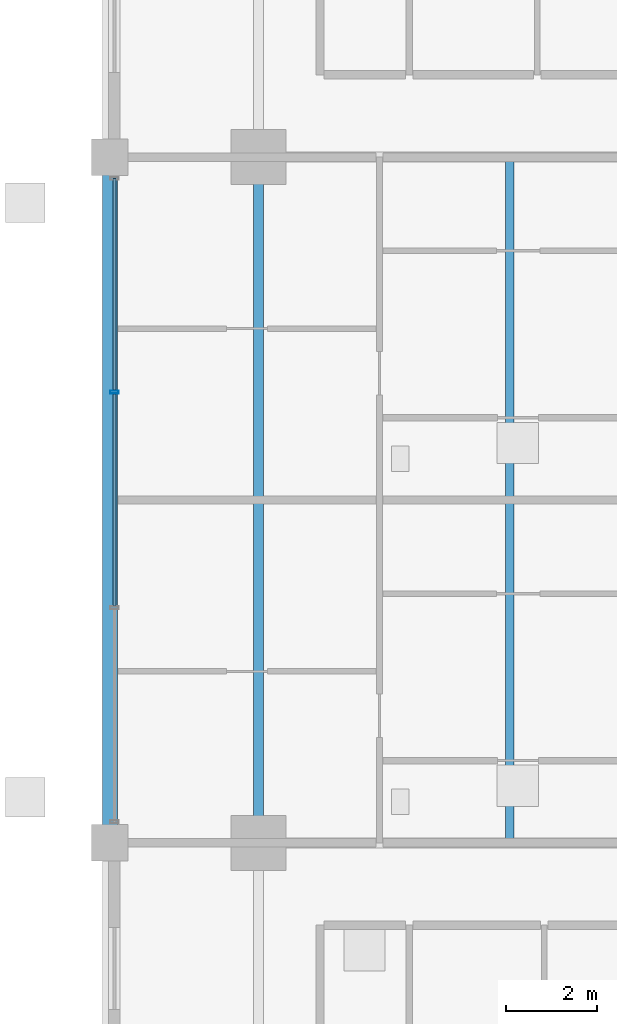
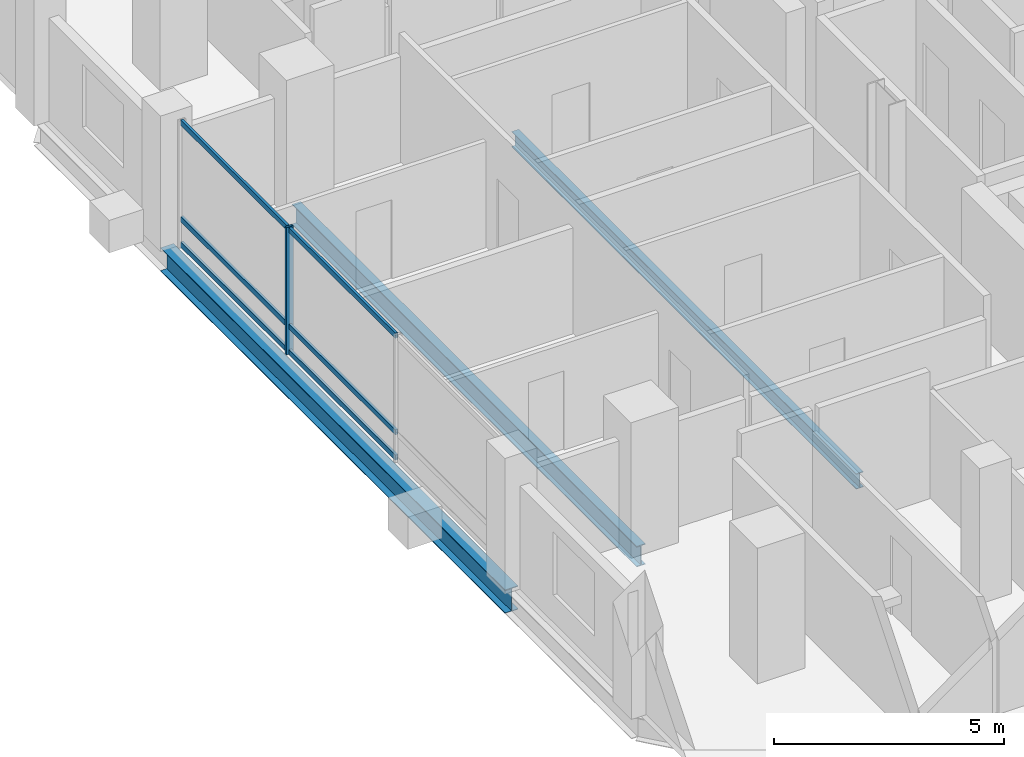
# One storey, part 5 of 20: 7 members, 3 beams, 1 element without a shape of its own.
"""IFC4 building model written with IfcOpenShell, lengths in metres."""

from ifc_helpers import new_model, si_unit, direction, frame, origin, origin_2d, place, context, subcontext, project, spatial, hollow_rectangle, i_section, extrude, material, layer, layer_set, material_profile, profile_set, type_object, element, aggregate, save


model = new_model("IFC4")

# Units and contexts
model_context = context("Model", 3, precision=1e-05, world=origin(), true_north=direction((0.0, 1.0)))
body_context = subcontext(model_context, "Body", "Model", "MODEL_VIEW")
ifc_project = project(units=[si_unit("LENGTHUNIT", "METRE"), si_unit("AREAUNIT", "SQUARE_METRE"), si_unit("VOLUMEUNIT", "CUBIC_METRE"), si_unit("PLANEANGLEUNIT", "RADIAN"), si_unit("MASSUNIT", "GRAM", prefix="KILO")], contexts=[model_context])

# Site, building, storey
site_placement = place(None, origin())
site = spatial("IfcSite", under=ifc_project, at=site_placement, CompositionType="ELEMENT")
building_placement = place(site_placement, origin())
building = spatial("IfcBuilding", under=site, at=building_placement, Name="Barlavira Tower and Art Museum", CompositionType="ELEMENT")
storey_placement = place(building_placement, frame((0.0, 0.0, 102.60009765625)))
storey = spatial("IfcBuildingStorey", under=building, at=storey_placement, Name="L25", CompositionType="ELEMENT", Elevation=102.60009765625)

# Curtain wall, members
ifc_material_1 = material(Name="Low-iron coastal laminated glass", Category="glass")
ifc_layer = layer(ifc_material_1, 0.18994140625, Name="Low-iron coastal laminated glass")
ifc_layer_set = layer_set([ifc_layer], Name="Low-iron coastal laminated glass")
curtain_wall_type = type_object("IfcCurtainWallType", Name="Pale-Metal Unitised Curtain Wall Zone 2", PredefinedType="NOTDEFINED", material=ifc_layer_set)
curtain_wall_placement = place(storey_placement, origin())
curtain_wall = element("IfcCurtainWall", 1, at=curtain_wall_placement, inside=storey, type_object=curtain_wall_type, Name="L25 Curtain Wall CW2-L25-W-B3", PredefinedType="NOTDEFINED")
ifc_material_2 = material(Name="Pale anodised aluminium", Category="aluminium")
ifc_material_profile_1 = material_profile(ifc_material_2, hollow_rectangle(XDim=0.06494140625, YDim=0.179931640625, WallThickness=0.00390625, at=origin_2d()), Name="ALU-MULL 65x180x4")
ifc_profile_set_1 = profile_set([ifc_material_profile_1], Name="Pale anodised aluminium")
member_type_1 = type_object("IfcMemberType", Name="Curtain Wall Pale-Metal Mullion 65x180", PredefinedType="MULLION", material=ifc_profile_set_1)
member_1_placement = place(storey_placement, frame((-20.14990234375, 2.360107421875, 0.0), z_axis=(0.0, 0.0, 1.0), x_axis=(0.0, -1.0, 0.0)))
member_1 = element("IfcMember", 2, at=member_1_placement, type_object=member_type_1, Name="CW2-L25-W-B3 Mullion 1", PredefinedType="MULLION", context=body_context, shape_type="SweptSolid", body=[
    extrude(hollow_rectangle(XDim=0.06494140625, YDim=0.179931640625, WallThickness=0.00390625, at=origin_2d()), origin(), (0.0, 0.0, 1.0), 3.3798828125),
])
ifc_material_profile_2 = material_profile(ifc_material_2, hollow_rectangle(XDim=0.06494140625, YDim=0.139892578125, WallThickness=0.00390625, at=origin_2d()), Name="ALU-TRAN 65x140x4")
ifc_profile_set_2 = profile_set([ifc_material_profile_2], Name="Pale anodised aluminium")
member_type_2 = type_object("IfcMemberType", Name="Curtain Wall Pale-Metal Transom 65x140", PredefinedType="USERDEFINED", material=ifc_profile_set_2)
member_2_placement = place(storey_placement, frame((-20.14990234375, 7.034912109375, 0.06982421875), z_axis=(0.0, -1.0, 0.0), x_axis=(1.0, 0.0, 0.0)))
member_2 = element("IfcMember", 3, at=member_2_placement, type_object=member_type_2, Name="CW2-L25-W-B3 Transom 0.1", ObjectType="TRANSOM", PredefinedType="USERDEFINED", context=body_context, shape_type="SweptSolid", body=[
    extrude(hollow_rectangle(XDim=0.06494140625, YDim=0.139892578125, WallThickness=0.00390625, at=origin_2d()), origin(), (0.0, 0.0, 1.0), 4.6298828125),
])
member_3_placement = place(storey_placement, frame((-20.14990234375, 7.034912109375, 0.743896484375), z_axis=(0.0, -1.0, 0.0), x_axis=(1.0, 0.0, 0.0)))
member_3 = element("IfcMember", 4, at=member_3_placement, type_object=member_type_2, Name="CW2-L25-W-B3 Transom 0.2", ObjectType="TRANSOM", PredefinedType="USERDEFINED", context=body_context, shape_type="SweptSolid", body=[
    extrude(hollow_rectangle(XDim=0.06494140625, YDim=0.139892578125, WallThickness=0.00390625, at=origin_2d()), origin(), (0.0, 0.0, 1.0), 4.6298828125),
])
member_4_placement = place(storey_placement, frame((-20.14990234375, 7.034912109375, 3.309814453125), z_axis=(0.0, -1.0, 0.0), x_axis=(1.0, 0.0, 0.0)))
member_4 = element("IfcMember", 5, at=member_4_placement, type_object=member_type_2, Name="CW2-L25-W-B3 Transom 0.3", ObjectType="TRANSOM", PredefinedType="USERDEFINED", context=body_context, shape_type="SweptSolid", body=[
    extrude(hollow_rectangle(XDim=0.06494140625, YDim=0.139892578125, WallThickness=0.00390625, at=origin_2d()), origin(), (0.0, 0.0, 1.0), 4.6298828125),
])
member_5_placement = place(storey_placement, frame((-20.14990234375, 2.31494140625, 0.06982421875), z_axis=(0.0, -1.0, 0.0), x_axis=(1.0, 0.0, 0.0)))
member_5 = element("IfcMember", 6, at=member_5_placement, type_object=member_type_2, Name="CW2-L25-W-B3 Transom 1.1", ObjectType="TRANSOM", PredefinedType="USERDEFINED", context=body_context, shape_type="SweptSolid", body=[
    extrude(hollow_rectangle(XDim=0.06494140625, YDim=0.139892578125, WallThickness=0.00390625, at=origin_2d()), origin(), (0.0, 0.0, 1.0), 4.6298828125),
])
member_6_placement = place(storey_placement, frame((-20.14990234375, 2.31494140625, 0.743896484375), z_axis=(0.0, -1.0, 0.0), x_axis=(1.0, 0.0, 0.0)))
member_6 = element("IfcMember", 7, at=member_6_placement, type_object=member_type_2, Name="CW2-L25-W-B3 Transom 1.2", ObjectType="TRANSOM", PredefinedType="USERDEFINED", context=body_context, shape_type="SweptSolid", body=[
    extrude(hollow_rectangle(XDim=0.06494140625, YDim=0.139892578125, WallThickness=0.00390625, at=origin_2d()), origin(), (0.0, 0.0, 1.0), 4.6298828125),
])
member_7_placement = place(storey_placement, frame((-20.14990234375, 2.31494140625, 3.309814453125), z_axis=(0.0, -1.0, 0.0), x_axis=(1.0, 0.0, 0.0)))
member_7 = element("IfcMember", 8, at=member_7_placement, type_object=member_type_2, Name="CW2-L25-W-B3 Transom 1.3", ObjectType="TRANSOM", PredefinedType="USERDEFINED", context=body_context, shape_type="SweptSolid", body=[
    extrude(hollow_rectangle(XDim=0.06494140625, YDim=0.139892578125, WallThickness=0.00390625, at=origin_2d()), origin(), (0.0, 0.0, 1.0), 4.6298828125),
])
aggregate(curtain_wall, [member_1, member_2, member_3, member_4, member_5, member_6, member_7])

# Beams
ifc_material_3 = material(Name="Steel S355", Category="steel")
ifc_material_profile_3 = material_profile(ifc_material_3, i_section(OverallWidth=0.327880859375, OverallDepth=0.62890625, WebThickness=0.013916015625, FlangeThickness=0.021484375, at=origin_2d()), Name="W610x174.0")
ifc_profile_set_3 = profile_set([ifc_material_profile_3], Name="Steel S355")
beam_type_1 = type_object("IfcBeamType", Name="Perimeter Spandrel Edge Beam W610x174 Steel S355", PredefinedType="SPANDREL", material=ifc_profile_set_3)
beam_1_placement = place(storey_placement, frame((-20.25, -7.5, -0.53466796875), z_axis=(0.0, 1.0, 0.0), x_axis=(-1.0, 0.0, 0.0)))
element("IfcBeam", 9, at=beam_1_placement, inside=storey, type_object=beam_type_1, Name="L25 Spandrel 14", PredefinedType="SPANDREL", context=body_context, shape_type="SweptSolid", body=[
    extrude(i_section(OverallWidth=0.327880859375, OverallDepth=0.62890625, WebThickness=0.013916015625, FlangeThickness=0.021484375, at=origin_2d()), origin(), (0.0, 0.0, 1.0), 15.0),
])
ifc_material_profile_4 = material_profile(ifc_material_3, i_section(OverallWidth=0.214111328125, OverallDepth=0.549072265625, WebThickness=0.0146484375, FlangeThickness=0.023681640625, at=origin_2d()), Name="W530x138.0")
ifc_profile_set_4 = profile_set([ifc_material_profile_4], Name="Steel S355")
beam_type_2 = type_object("IfcBeamType", Name="Zone 1 Primary Floor Girder W530x138 Steel S355", PredefinedType="BEAM", material=ifc_profile_set_4)
beam_2_placement = place(storey_placement, frame((-17.0, -7.5, -0.49462890625), z_axis=(0.0, 1.0, 0.0), x_axis=(-1.0, 0.0, 0.0)))
element("IfcBeam", 10, at=beam_2_placement, inside=storey, type_object=beam_type_2, Name="L25 Girder M-W2", PredefinedType="BEAM", context=body_context, shape_type="SweptSolid", body=[
    extrude(i_section(OverallWidth=0.214111328125, OverallDepth=0.549072265625, WebThickness=0.0146484375, FlangeThickness=0.023681640625, at=origin_2d()), origin(), (0.0, 0.0, 1.0), 15.0),
])
ifc_material_profile_5 = material_profile(ifc_material_3, i_section(OverallWidth=0.179931640625, OverallDepth=0.4130859375, WebThickness=0.009765625, FlangeThickness=0.01611328125, at=origin_2d()), Name="W410x75.0")
ifc_profile_set_5 = profile_set([ifc_material_profile_5], Name="Steel S355")
beam_type_3 = type_object("IfcBeamType", Name="Zone 2 Composite Floor Joist W410x75 Steel S355", PredefinedType="JOIST", material=ifc_profile_set_5)
beam_3_placement = place(storey_placement, frame((-11.5, -7.5, -0.426513671875), z_axis=(0.0, 1.0, 0.0), x_axis=(-1.0, 0.0, 0.0)))
element("IfcBeam", 11, at=beam_3_placement, inside=storey, type_object=beam_type_3, Name="L25 Joist W1", PredefinedType="JOIST", context=body_context, shape_type="SweptSolid", body=[
    extrude(i_section(OverallWidth=0.179931640625, OverallDepth=0.4130859375, WebThickness=0.009765625, FlangeThickness=0.01611328125, at=origin_2d()), origin(), (0.0, 0.0, 1.0), 15.0),
])

save(model, "model.ifc")
